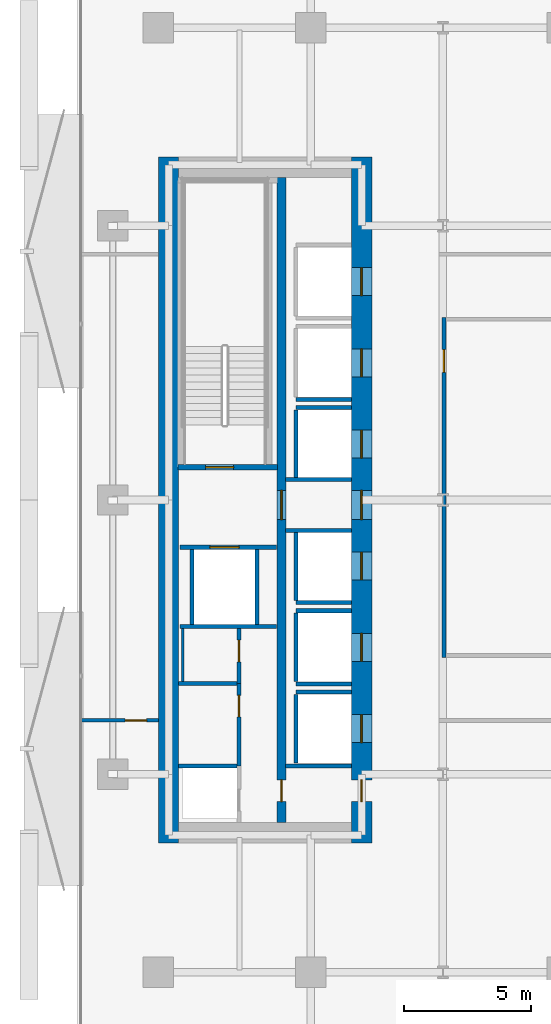
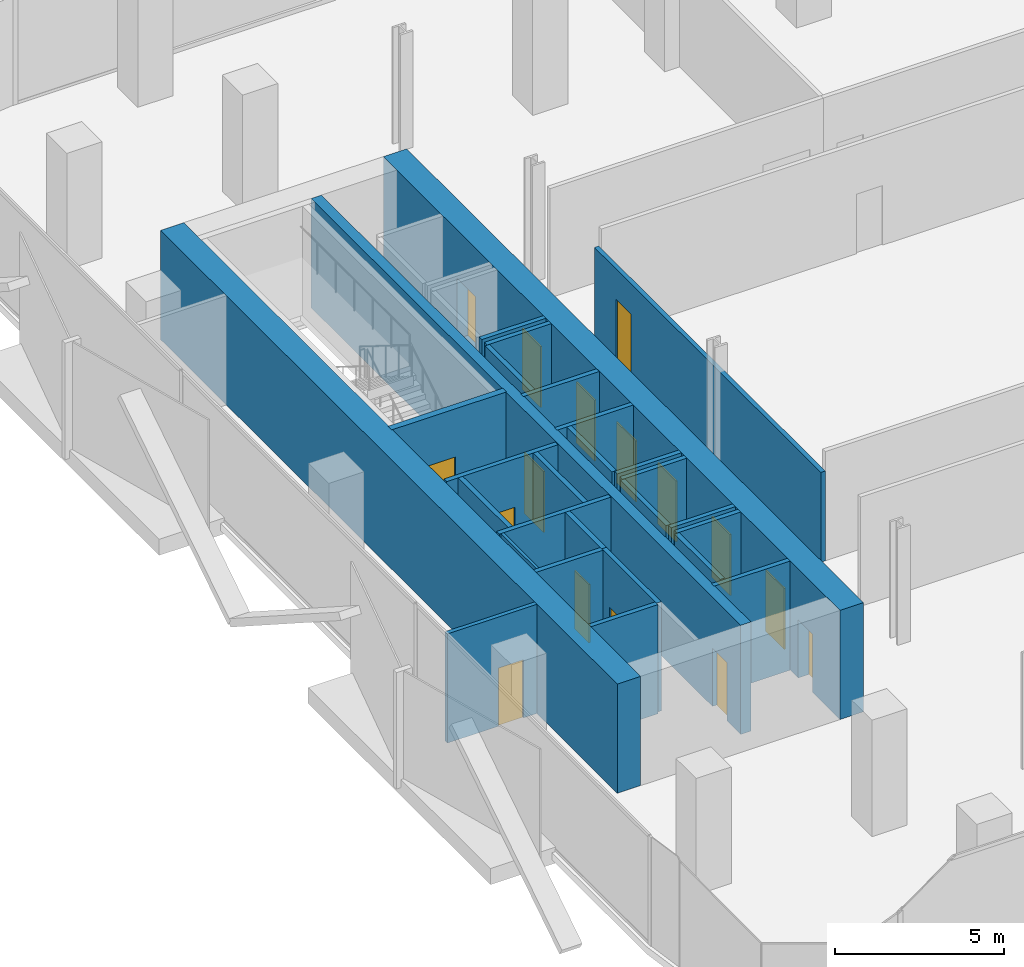
# One storey, part 3 of 14: 28 walls, 16 doors, 16 openings.
"""IFC4 building model written with IfcOpenShell, lengths in metres."""

from ifc_helpers import new_model, si_unit, direction, frame, frame_2d, origin, place, context, subcontext, project, spatial, rectangle, extrude, material, layer, layer_set, type_object, element, fill, save


model = new_model("IFC4")

# Units and contexts
model_context = context("Model", 3, precision=1e-05, world=origin(), true_north=direction((0.0, 1.0)))
body_context = subcontext(model_context, "Body", "Model", "MODEL_VIEW")
ifc_project = project(units=[si_unit("LENGTHUNIT", "METRE"), si_unit("AREAUNIT", "SQUARE_METRE"), si_unit("VOLUMEUNIT", "CUBIC_METRE"), si_unit("PLANEANGLEUNIT", "RADIAN"), si_unit("MASSUNIT", "GRAM", prefix="KILO")], contexts=[model_context])

# Site, building, storey
site_placement = place(None, origin())
site = spatial("IfcSite", under=ifc_project, at=site_placement, CompositionType="ELEMENT")
building_placement = place(site_placement, origin())
building = spatial("IfcBuilding", under=site, at=building_placement, Name="Khairoan Windgate Tower", CompositionType="ELEMENT")
storey_placement = place(building_placement, frame((0.0, 0.0, 93.199951171875)))
storey = spatial("IfcBuildingStorey", under=building, at=storey_placement, Name="L21", CompositionType="ELEMENT", Elevation=93.199951171875)

# Walls
ifc_material_1 = material(Name="Moisture-Resistant Gypsum Partition", Category="gypsum")
ifc_layer_1 = layer(ifc_material_1, 0.10009765625, Name="Moisture-Resistant Gypsum Partition")
ifc_layer_set_1 = layer_set([ifc_layer_1], Name="Moisture-Resistant Gypsum Partition")
wall_type_1 = type_object("IfcWallType", Name="Bathroom Wet-Area Partition Wall", PredefinedType="PARTITIONING", material=ifc_layer_set_1)
wall_1_placement = place(storey_placement, frame((-19.449951171875, -7.14990234375, 0.0), z_axis=(0.0, 0.0, 1.0), x_axis=(0.0, 1.0, 0.0)))
element("IfcWall", 1, at=wall_1_placement, inside=storey, type_object=wall_type_1, Name="L21 Wet Room Side Wall 024", PredefinedType="PARTITIONING", context=body_context, shape_type="SweptSolid", body=[
    extrude(rectangle(XDim=2.08984375, YDim=0.10009765625, at=frame_2d((1.044921875, 0.0))), origin(), (0.0, 0.0, 1.0), 3.93994140625),
])
ifc_material_2 = material(Name="Concrete C40/50", Category="concrete")
ifc_layer_2 = layer(ifc_material_2, 0.159912109375, Name="Concrete C40/50")
ifc_layer_set_2 = layer_set([ifc_layer_2], Name="Concrete C40/50")
wall_type_2 = type_object("IfcWallType", Name="Core and Hoistway Enclosure Wall", PredefinedType="STANDARD", material=ifc_layer_set_2)
for number, where, z_axis, x_axis, name in (
    (2, (-14.989990234375, 3.9599609375, 0.0), (0.0, 0.0, 1.0), (1.0, 0.0, 0.0), "L21 Lift PL2 Hoistway Divider S"),
    (3, (-14.989990234375, 3.639892578125, 0.0), (0.0, 0.0, 1.0), (1.0, 0.0, 0.0), "L21 Lift PL3 Hoistway Divider N"),
):
    element("IfcWall", number, at=place(storey_placement, frame(where, z_axis=z_axis, x_axis=x_axis)), inside=storey, type_object=wall_type_2, Name=name, PredefinedType="STANDARD", context=body_context, shape_type="SweptSolid", body=[
        extrude(rectangle(XDim=2.18994140625, YDim=0.159912109375, at=frame_2d((1.094970703125, 0.0))), origin(), (0.0, 0.0, 1.0), 3.93994140625),
    ])
wall_2_placement = place(storey_placement, frame((-14.989990234375, 0.85009765625, 0.0), z_axis=(0.0, 0.0, 1.0), x_axis=(0.0, 1.0, 0.0)))
element("IfcWall", 4, at=wall_2_placement, inside=storey, type_object=wall_type_2, Name="L21 Lift PL3 Hoistway Back Wall", PredefinedType="STANDARD", context=body_context, shape_type="SweptSolid", body=[
    extrude(rectangle(XDim=2.699951171875, YDim=0.159912109375, at=frame_2d((1.35009765625, 0.0))), origin(), (0.0, 0.0, 1.0), 3.93994140625),
])
wall_3_placement = place(storey_placement, frame((-14.989990234375, -4.0400390625, 0.0), z_axis=(0.0, 0.0, 1.0), x_axis=(1.0, 0.0, 0.0)))
element("IfcWall", 5, at=wall_3_placement, inside=storey, type_object=wall_type_2, Name="L21 Lift PL4 Hoistway Divider S", PredefinedType="STANDARD", context=body_context, shape_type="SweptSolid", body=[
    extrude(rectangle(XDim=2.18994140625, YDim=0.159912109375, at=frame_2d((1.094970703125, 0.0))), origin(), (0.0, 0.0, 1.0), 3.93994140625),
])
wall_4_placement = place(storey_placement, frame((-14.989990234375, -3.949951171875, 0.0), z_axis=(0.0, 0.0, 1.0), x_axis=(0.0, 1.0, 0.0)))
element("IfcWall", 6, at=wall_4_placement, inside=storey, type_object=wall_type_2, Name="L21 Lift PL4 Hoistway Back Wall", PredefinedType="STANDARD", context=body_context, shape_type="SweptSolid", body=[
    extrude(rectangle(XDim=2.699951171875, YDim=0.159912109375, at=frame_2d((1.35009765625, 0.0))), origin(), (0.0, 0.0, 1.0), 3.93994140625),
])
for number, where, z_axis, x_axis, name in (
    (7, (-14.989990234375, -7.239990234375, 0.0), (0.0, 0.0, 1.0), (1.0, 0.0, 0.0), "L21 Lift PL5 Hoistway Divider S"),
    (8, (-14.989990234375, -4.360107421875, 0.0), (0.0, 0.0, 1.0), (1.0, 0.0, 0.0), "L21 Lift PL5 Hoistway Divider N"),
):
    element("IfcWall", number, at=place(storey_placement, frame(where, z_axis=z_axis, x_axis=x_axis)), inside=storey, type_object=wall_type_2, Name=name, PredefinedType="STANDARD", context=body_context, shape_type="SweptSolid", body=[
        extrude(rectangle(XDim=2.18994140625, YDim=0.159912109375, at=frame_2d((1.094970703125, 0.0))), origin(), (0.0, 0.0, 1.0), 3.93994140625),
    ])
wall_5_placement = place(storey_placement, frame((-14.989990234375, -7.14990234375, 0.0), z_axis=(0.0, 0.0, 1.0), x_axis=(0.0, 1.0, 0.0)))
element("IfcWall", 9, at=wall_5_placement, inside=storey, type_object=wall_type_2, Name="L21 Lift PL5 Hoistway Back Wall", PredefinedType="STANDARD", context=body_context, shape_type="SweptSolid", body=[
    extrude(rectangle(XDim=2.699951171875, YDim=0.159912109375, at=frame_2d((1.35009765625, 0.0))), origin(), (0.0, 0.0, 1.0), 3.93994140625),
])
wall_6_placement = place(storey_placement, frame((-14.989990234375, -7.56005859375, 0.0), z_axis=(0.0, 0.0, 1.0), x_axis=(1.0, 0.0, 0.0)))
element("IfcWall", 10, at=wall_6_placement, inside=storey, type_object=wall_type_2, Name="L21 Lift PL6 Hoistway Divider N", PredefinedType="STANDARD", context=body_context, shape_type="SweptSolid", body=[
    extrude(rectangle(XDim=2.18994140625, YDim=0.159912109375, at=frame_2d((1.094970703125, 0.0))), origin(), (0.0, 0.0, 1.0), 3.93994140625),
])
wall_7_placement = place(storey_placement, frame((-14.989990234375, -10.35009765625, 0.0), z_axis=(0.0, 0.0, 1.0), x_axis=(0.0, 1.0, 0.0)))
element("IfcWall", 11, at=wall_7_placement, inside=storey, type_object=wall_type_2, Name="L21 Lift PL6 Hoistway Back Wall", PredefinedType="STANDARD", context=body_context, shape_type="SweptSolid", body=[
    extrude(rectangle(XDim=2.7001953125, YDim=0.159912109375, at=frame_2d((1.35009765625, 0.0))), origin(), (0.0, 0.0, 1.0), 3.93994140625),
])

# Wall, opening, door
wall_8_placement = place(storey_placement, frame((-19.550048828125, -1.860107421875, 0.0), z_axis=(0.0, 0.0, 1.0), x_axis=(1.0, 0.0, 0.0)))
wall_8 = element("IfcWall", 12, at=wall_8_placement, inside=storey, type_object=wall_type_2, Name="L21 Core Shaft Wall SW-FL2-L21", PredefinedType="STANDARD", context=body_context, shape_type="SweptSolid", body=[
    extrude(rectangle(XDim=3.800048828125, YDim=0.159912109375, at=frame_2d((1.89990234375, 0.0))), origin(), (0.0, 0.0, 1.0), 3.93994140625),
])
opening_1_placement = place(wall_8_placement, frame((1.179931640625, 0.0, 0.0)))
opening_1 = element("IfcOpeningElement", 13, at=opening_1_placement, cuts=wall_8, Name="Opening LD-FL", PredefinedType="OPENING", context=body_context, shape_type="SweptSolid", body=[
    extrude(rectangle(XDim=1.14990234375, YDim=2.199951171875, at=frame_2d((0.574951171875, 1.10009765625))), frame((0.0, 0.08984375, 0.0), z_axis=(0.0, -1.0, 0.0), x_axis=(1.0, 0.0, 0.0)), (0.0, 0.0, 1.0), 0.179931640625),
])
ifc_material_3 = material(Name="Steel S355", Category="steel")
door_type_1 = type_object("IfcDoorType", Name="Firefighting Lift Sliding Landing Door LD-FL 1150x2200", OperationType="DOUBLE_DOOR_SLIDING", PredefinedType="DOOR", material=ifc_material_3)
door_1_placement = place(opening_1_placement, origin())
door_1 = element("IfcDoor", 14, at=door_1_placement, inside=storey, type_object=door_type_1, Name="L21 Firefighting Lift FL2 Landing Door", OperationType="DOUBLE_DOOR_SLIDING", OverallHeight=2.199951171875, OverallWidth=1.14990234375, PredefinedType="DOOR", context=body_context, shape_type="SweptSolid", body=[
    extrude(rectangle(XDim=1.14990234375, YDim=2.199951171875, at=frame_2d((0.574951171875, 1.10009765625))), frame((0.0, 0.02490234375, 0.0), z_axis=(0.0, -1.0, 0.0), x_axis=(1.0, 0.0, 0.0)), (0.0, 0.0, 1.0), 0.050048828125),
])
fill(opening_1, door_1)

# Walls
wall_9_placement = place(storey_placement, frame((-19.550048828125, -4.97998046875, 0.0), z_axis=(0.0, 0.0, 1.0), x_axis=(1.0, 0.0, 0.0)))
element("IfcWall", 15, at=wall_9_placement, inside=storey, type_object=wall_type_2, Name="L21 Core Shaft Wall SW-FL2B-L21", PredefinedType="STANDARD", context=body_context, shape_type="SweptSolid", body=[
    extrude(rectangle(XDim=3.800048828125, YDim=0.159912109375, at=frame_2d((1.89990234375, 0.0))), origin(), (0.0, 0.0, 1.0), 3.93994140625),
])
for number, where, z_axis, x_axis, name in (
    (16, (-19.080078125, -4.89990234375, 0.0), (0.0, 0.0, 1.0), (0.0, 1.0, 0.0), "L21 Core Shaft Wall SW-FL2W-L21"),
    (17, (-16.52001953125, -4.89990234375, 0.0), (0.0, 0.0, 1.0), (0.0, 1.0, 0.0), "L21 Core Shaft Wall SW-FL2E-L21"),
):
    element("IfcWall", number, at=place(storey_placement, frame(where, z_axis=z_axis, x_axis=x_axis)), inside=storey, type_object=wall_type_2, Name=name, PredefinedType="STANDARD", context=body_context, shape_type="SweptSolid", body=[
        extrude(rectangle(XDim=2.9599609375, YDim=0.159912109375, at=frame_2d((1.47998046875, 0.0))), origin(), (0.0, 0.0, 1.0), 3.93994140625),
    ])
for number, where, z_axis, x_axis, name in (
    (18, (-15.39990234375, 0.800048828125, 0.0), (0.0, 0.0, 1.0), (1.0, 0.0, 0.0), "L21 Core Shaft Wall SW-WV1-L21"),
    (19, (-15.39990234375, -1.199951171875, 0.0), (0.0, 0.0, 1.0), (1.0, 0.0, 0.0), "L21 Core Shaft Wall SW-WV2-L21"),
    (20, (-15.39990234375, -10.47998046875, 0.0), (0.0, 0.0, 1.0), (1.0, 0.0, 0.0), "L21 Core Shaft Wall SW-WSV-L21"),
):
    element("IfcWall", number, at=place(storey_placement, frame(where, z_axis=z_axis, x_axis=x_axis)), inside=storey, type_object=wall_type_2, Name=name, PredefinedType="STANDARD", context=body_context, shape_type="SweptSolid", body=[
        extrude(rectangle(XDim=2.599853515625, YDim=0.159912109375, at=frame_2d((1.2998046875, 0.0))), origin(), (0.0, 0.0, 1.0), 3.93994140625),
    ])

# Wall, opening, door
ifc_material_4 = material(Name="Acoustic Fire-Rated Gypsum Partition", Category="gypsum")
ifc_layer_3 = layer(ifc_material_4, 0.139892578125, Name="Acoustic Fire-Rated Gypsum Partition")
ifc_layer_set_3 = layer_set([ifc_layer_3], Name="Acoustic Fire-Rated Gypsum Partition")
wall_type_3 = type_object("IfcWallType", Name="Inter-Tenancy Compartment Wall", PredefinedType="PARTITIONING", material=ifc_layer_set_3)
wall_10_placement = place(storey_placement, frame((-23.455078125, -8.679931640625, 0.0), z_axis=(0.0, 0.0, 1.0), x_axis=(1.0, 0.0, 0.0)))
wall_10 = element("IfcWall", 21, at=wall_10_placement, inside=storey, type_object=wall_type_3, Name="L21 Interior Partition 023", PredefinedType="PARTITIONING", context=body_context, shape_type="SweptSolid", body=[
    extrude(rectangle(XDim=3.05517578125, YDim=0.139892578125, at=frame_2d((1.527587890625, 0.0))), origin(), (0.0, 0.0, 1.0), 3.93994140625),
])
opening_2_placement = place(wall_10_placement, frame((1.7451171875, 0.0, 0.0)))
opening_2 = element("IfcOpeningElement", 22, at=opening_2_placement, cuts=wall_10, Name="Opening FD-SRV", PredefinedType="OPENING", context=body_context, shape_type="SweptSolid", body=[
    extrude(rectangle(XDim=0.85009765625, YDim=2.10009765625, at=frame_2d((0.425048828125, 1.050048828125))), frame((0.0, 0.079833984375, 0.0), z_axis=(0.0, -1.0, 0.0), x_axis=(1.0, 0.0, 0.0)), (0.0, 0.0, 1.0), 0.159912109375),
])
ifc_material_5 = material(Name="Steel S355", Category="steel")
door_type_2 = type_object("IfcDoorType", Name="Core Service and Riser Fire Door FD-SRV 850x2100", OperationType="NOTDEFINED", PredefinedType="DOOR", material=ifc_material_5)
door_2_placement = place(opening_2_placement, origin())
door_2 = element("IfcDoor", 23, at=door_2_placement, inside=storey, type_object=door_type_2, Name="L21 L21-36-L21-38 Door", OperationType="SINGLE_SWING_RIGHT", OverallHeight=2.10009765625, OverallWidth=0.85009765625, PredefinedType="DOOR", context=body_context, shape_type="SweptSolid", body=[
    extrude(rectangle(XDim=0.85009765625, YDim=2.10009765625, at=frame_2d((0.425048828125, 1.050048828125))), frame((0.0, 0.02490234375, 0.0), z_axis=(0.0, -1.0, 0.0), x_axis=(1.0, 0.0, 0.0)), (0.0, 0.0, 1.0), 0.050048828125),
])
fill(opening_2, door_2)

ifc_material_6 = material(Name="Concrete C40/50", Category="concrete")
ifc_layer_4 = layer(ifc_material_6, 0.159912109375, Name="Concrete C40/50")
ifc_layer_set_4 = layer_set([ifc_layer_4], Name="Concrete C40/50")
wall_type_4 = type_object("IfcWallType", Name="Plant and Refuge Compartment Wall", PredefinedType="PARTITIONING", material=ifc_layer_set_4)
wall_11_placement = place(storey_placement, frame((-17.22998046875, -7.22998046875, 0.0), z_axis=(0.0, 0.0, 1.0), x_axis=(0.0, 1.0, 0.0)))
wall_11 = element("IfcWall", 24, at=wall_11_placement, inside=storey, type_object=wall_type_4, Name="L21 Interior Partition 002", PredefinedType="PARTITIONING", context=body_context, shape_type="SweptSolid", body=[
    extrude(rectangle(XDim=2.169921875, YDim=0.159912109375, at=frame_2d((1.0849609375, 0.0))), origin(), (0.0, 0.0, 1.0), 3.93994140625),
])
opening_3_placement = place(wall_11_placement, frame((0.860107421875, 0.0, 0.0)))
opening_3 = element("IfcOpeningElement", 25, at=opening_3_placement, cuts=wall_11, Name="Opening FD-SRV", PredefinedType="OPENING", context=body_context, shape_type="SweptSolid", body=[
    extrude(rectangle(XDim=0.85009765625, YDim=2.10009765625, at=frame_2d((0.425048828125, 1.050048828125))), frame((0.0, 0.08984375, 0.0), z_axis=(0.0, -1.0, 0.0), x_axis=(1.0, 0.0, 0.0)), (0.0, 0.0, 1.0), 0.179931640625),
])
door_3_placement = place(opening_3_placement, origin())
door_3 = element("IfcDoor", 26, at=door_3_placement, inside=storey, type_object=door_type_2, Name="L21 L21-04-L21-06 Door", OperationType="SINGLE_SWING_LEFT", OverallHeight=2.10009765625, OverallWidth=0.85009765625, PredefinedType="DOOR", context=body_context, shape_type="SweptSolid", body=[
    extrude(rectangle(XDim=0.85009765625, YDim=2.10009765625, at=frame_2d((0.425048828125, 1.050048828125))), frame((0.0, 0.02490234375, 0.0), z_axis=(0.0, -1.0, 0.0), x_axis=(1.0, 0.0, 0.0)), (0.0, 0.0, 1.0), 0.050048828125),
])
fill(opening_3, door_3)

wall_12_placement = place(storey_placement, frame((-17.22998046875, -10.469970703125, 0.0), z_axis=(0.0, 0.0, 1.0), x_axis=(0.0, 1.0, 0.0)))
wall_12 = element("IfcWall", 27, at=wall_12_placement, inside=storey, type_object=wall_type_4, Name="L21 Interior Partition 003", PredefinedType="PARTITIONING", context=body_context, shape_type="SweptSolid", body=[
    extrude(rectangle(XDim=3.239990234375, YDim=0.159912109375, at=frame_2d((1.6201171875, 0.0))), origin(), (0.0, 0.0, 1.0), 3.93994140625),
])
opening_4_placement = place(wall_12_placement, frame((1.929931640625, 0.0, 0.0)))
opening_4 = element("IfcOpeningElement", 28, at=opening_4_placement, cuts=wall_12, Name="Opening FD-SRV", PredefinedType="OPENING", context=body_context, shape_type="SweptSolid", body=[
    extrude(rectangle(XDim=0.85009765625, YDim=2.10009765625, at=frame_2d((0.425048828125, 1.050048828125))), frame((0.0, 0.08984375, 0.0), z_axis=(0.0, -1.0, 0.0), x_axis=(1.0, 0.0, 0.0)), (0.0, 0.0, 1.0), 0.179931640625),
])
door_4_placement = place(opening_4_placement, origin())
door_4 = element("IfcDoor", 29, at=door_4_placement, inside=storey, type_object=door_type_2, Name="L21 L21-04-L21-07 Door", OperationType="SINGLE_SWING_RIGHT", OverallHeight=2.10009765625, OverallWidth=0.85009765625, PredefinedType="DOOR", context=body_context, shape_type="SweptSolid", body=[
    extrude(rectangle(XDim=0.85009765625, YDim=2.10009765625, at=frame_2d((0.425048828125, 1.050048828125))), frame((0.0, 0.02490234375, 0.0), z_axis=(0.0, -1.0, 0.0), x_axis=(1.0, 0.0, 0.0)), (0.0, 0.0, 1.0), 0.050048828125),
])
fill(opening_4, door_4)

# Walls
for number, where, z_axis, x_axis, name in (
    (30, (-19.60009765625, -10.469970703125, 0.0), (0.0, 0.0, 1.0), (1.0, 0.0, 0.0), "L21 Interior Partition 004"),
    (31, (-19.60009765625, -7.22998046875, 0.0), (0.0, 0.0, 1.0), (1.0, 0.0, 0.0), "L21 Interior Partition 005"),
):
    element("IfcWall", number, at=place(storey_placement, frame(where, z_axis=z_axis, x_axis=x_axis)), inside=storey, type_object=wall_type_4, Name=name, PredefinedType="PARTITIONING", context=body_context, shape_type="SweptSolid", body=[
        extrude(rectangle(XDim=2.2900390625, YDim=0.159912109375, at=frame_2d((1.14501953125, 0.0))), origin(), (0.0, 0.0, 1.0), 3.93994140625),
    ])

# Wall, opening, door
ifc_material_7 = material(Name="Acoustic Fire-Rated Gypsum Partition", Category="gypsum")
ifc_layer_5 = layer(ifc_material_7, 0.14990234375, Name="Acoustic Fire-Rated Gypsum Partition")
ifc_layer_set_5 = layer_set([ifc_layer_5], Name="Acoustic Fire-Rated Gypsum Partition")
wall_type_5 = type_object("IfcWallType", Name="Rated Corridor Partition Wall", PredefinedType="PARTITIONING", material=ifc_layer_set_5)
wall_13_placement = place(storey_placement, frame((-9.159912109375, -6.195068359375, 0.0), z_axis=(0.0, 0.0, 1.0), x_axis=(0.0, 1.0, 0.0)))
wall_13 = element("IfcWall", 32, at=wall_13_placement, inside=storey, type_object=wall_type_5, Name="L21 Interior Partition 011", PredefinedType="PARTITIONING", context=body_context, shape_type="SweptSolid", body=[
    extrude(rectangle(XDim=13.39013671875, YDim=0.14990234375, at=frame_2d((6.695068359375, 0.0))), origin(), (0.0, 0.0, 1.0), 3.239990234375),
])
opening_5_placement = place(wall_13_placement, frame((11.218017578125, 0.0, 0.0)))
opening_5 = element("IfcOpeningElement", 33, at=opening_5_placement, cuts=wall_13, Name="Opening FD-ENT", PredefinedType="OPENING", context=body_context, shape_type="SweptSolid", body=[
    extrude(rectangle(XDim=0.89990234375, YDim=2.14990234375, at=frame_2d((0.449951171875, 1.074951171875))), frame((0.0, 0.0849609375, 0.0), z_axis=(0.0, -1.0, 0.0), x_axis=(1.0, 0.0, 0.0)), (0.0, 0.0, 1.0), 0.169921875),
])
ifc_material_8 = material(Name="Timber Fire-Rated Core", Category="wood")
door_type_3 = type_object("IfcDoorType", Name="Unit and Office Fire Entrance Door FD-ENT 900x2150", OperationType="NOTDEFINED", PredefinedType="DOOR", material=ifc_material_8)
door_5_placement = place(opening_5_placement, origin())
door_5 = element("IfcDoor", 34, at=door_5_placement, inside=storey, type_object=door_type_3, Name="L21 L21-29-L21-33 Door", OperationType="SINGLE_SWING_RIGHT", OverallHeight=2.14990234375, OverallWidth=0.89990234375, PredefinedType="DOOR", context=body_context, shape_type="SweptSolid", body=[
    extrude(rectangle(XDim=0.89990234375, YDim=2.14990234375, at=frame_2d((0.449951171875, 1.074951171875))), frame((0.0, 0.02490234375, 0.0), z_axis=(0.0, -1.0, 0.0), x_axis=(1.0, 0.0, 0.0)), (0.0, 0.0, 1.0), 0.050048828125),
])
fill(opening_5, door_5)

# Wall
ifc_material_9 = material(Name="Concrete C70/85", Category="concrete")
ifc_layer_6 = layer(ifc_material_9, 0.800048828125, Name="Concrete C70/85")
ifc_layer_set_6 = layer_set([ifc_layer_6], Name="Concrete C70/85")
wall_type_6 = type_object("IfcWallType", Name="Shear Wall CW-W1 800mm", PredefinedType="SHEAR", material=ifc_layer_set_6)
wall_14_placement = place(storey_placement, frame((-20.0, -13.5, 0.0), z_axis=(0.0, 0.0, 1.0), x_axis=(0.0, 1.0, 0.0)))
element("IfcWall", 35, at=wall_14_placement, inside=storey, type_object=wall_type_6, Name="W Core West Shear Wall L21", PredefinedType="SHEAR", context=body_context, shape_type="SweptSolid", body=[
    extrude(rectangle(XDim=27.0, YDim=0.800048828125, at=frame_2d((13.5, 0.0))), origin(), (0.0, 0.0, 1.0), 3.93994140625),
])

# Wall, openings, doors
wall_15_placement = place(storey_placement, frame((-12.39990234375, -13.5, 0.0), z_axis=(0.0, 0.0, 1.0), x_axis=(0.0, 1.0, 0.0)))
wall_15 = element("IfcWall", 36, at=wall_15_placement, inside=storey, type_object=wall_type_6, Name="W Core East Shear Wall L21", PredefinedType="SHEAR", context=body_context, shape_type="SweptSolid", body=[
    extrude(rectangle(XDim=27.0, YDim=0.800048828125, at=frame_2d((13.5, 0.0))), origin(), (0.0, 0.0, 1.0), 3.93994140625),
])
opening_6_placement = place(wall_15_placement, frame((21.550048828125, 0.0, 0.0)))
opening_6 = element("IfcOpeningElement", 37, at=opening_6_placement, cuts=wall_15, Name="Opening LD-PL", PredefinedType="OPENING", context=body_context, shape_type="SweptSolid", body=[
    extrude(rectangle(XDim=1.10009765625, YDim=2.199951171875, at=frame_2d((0.550048828125, 1.10009765625))), frame((0.0, 0.409912109375, 0.0), z_axis=(0.0, -1.0, 0.0), x_axis=(1.0, 0.0, 0.0)), (0.0, 0.0, 1.0), 0.820068359375),
])
opening_7_placement = place(wall_15_placement, frame((18.35009765625, 0.0, 0.0)))
opening_7 = element("IfcOpeningElement", 38, at=opening_7_placement, cuts=wall_15, Name="Opening LD-PL", PredefinedType="OPENING", context=body_context, shape_type="SweptSolid", body=[
    extrude(rectangle(XDim=1.10009765625, YDim=2.199951171875, at=frame_2d((0.550048828125, 1.10009765625))), frame((0.0, 0.409912109375, 0.0), z_axis=(0.0, -1.0, 0.0), x_axis=(1.0, 0.0, 0.0)), (0.0, 0.0, 1.0), 0.820068359375),
])
opening_8_placement = place(wall_15_placement, frame((15.14990234375, 0.0, 0.0)))
opening_8 = element("IfcOpeningElement", 39, at=opening_8_placement, cuts=wall_15, Name="Opening LD-PL", PredefinedType="OPENING", context=body_context, shape_type="SweptSolid", body=[
    extrude(rectangle(XDim=1.10009765625, YDim=2.199951171875, at=frame_2d((0.550048828125, 1.10009765625))), frame((0.0, 0.409912109375, 0.0), z_axis=(0.0, -1.0, 0.0), x_axis=(1.0, 0.0, 0.0)), (0.0, 0.0, 1.0), 0.820068359375),
])
opening_9_placement = place(wall_15_placement, frame((10.35009765625, 0.0, 0.0)))
opening_9 = element("IfcOpeningElement", 40, at=opening_9_placement, cuts=wall_15, Name="Opening LD-PL", PredefinedType="OPENING", context=body_context, shape_type="SweptSolid", body=[
    extrude(rectangle(XDim=1.10009765625, YDim=2.199951171875, at=frame_2d((0.550048828125, 1.10009765625))), frame((0.0, 0.409912109375, 0.0), z_axis=(0.0, -1.0, 0.0), x_axis=(1.0, 0.0, 0.0)), (0.0, 0.0, 1.0), 0.820068359375),
])
opening_10_placement = place(wall_15_placement, frame((7.14990234375, 0.0, 0.0)))
opening_10 = element("IfcOpeningElement", 41, at=opening_10_placement, cuts=wall_15, Name="Opening LD-PL", PredefinedType="OPENING", context=body_context, shape_type="SweptSolid", body=[
    extrude(rectangle(XDim=1.10009765625, YDim=2.199951171875, at=frame_2d((0.550048828125, 1.10009765625))), frame((0.0, 0.409912109375, 0.0), z_axis=(0.0, -1.0, 0.0), x_axis=(1.0, 0.0, 0.0)), (0.0, 0.0, 1.0), 0.820068359375),
])
opening_11_placement = place(wall_15_placement, frame((3.949951171875, 0.0, 0.0)))
opening_11 = element("IfcOpeningElement", 42, at=opening_11_placement, cuts=wall_15, Name="Opening LD-PL", PredefinedType="OPENING", context=body_context, shape_type="SweptSolid", body=[
    extrude(rectangle(XDim=1.10009765625, YDim=2.199951171875, at=frame_2d((0.550048828125, 1.10009765625))), frame((0.0, 0.409912109375, 0.0), z_axis=(0.0, -1.0, 0.0), x_axis=(1.0, 0.0, 0.0)), (0.0, 0.0, 1.0), 0.820068359375),
])
opening_12_placement = place(wall_15_placement, frame((12.72509765625, 0.0, 0.0)))
opening_12 = element("IfcOpeningElement", 43, at=opening_12_placement, cuts=wall_15, Name="Opening FD-FFL", PredefinedType="OPENING", context=body_context, shape_type="SweptSolid", body=[
    extrude(rectangle(XDim=1.14990234375, YDim=2.199951171875, at=frame_2d((0.574951171875, 1.10009765625))), frame((0.0, 0.409912109375, 0.0), z_axis=(0.0, -1.0, 0.0), x_axis=(1.0, 0.0, 0.0)), (0.0, 0.0, 1.0), 0.820068359375),
])
opening_13_placement = place(wall_15_placement, frame((1.625, 0.0, 0.0)))
opening_13 = element("IfcOpeningElement", 44, at=opening_13_placement, cuts=wall_15, Name="Opening FD-SRV", PredefinedType="OPENING", context=body_context, shape_type="SweptSolid", body=[
    extrude(rectangle(XDim=0.85009765625, YDim=2.10009765625, at=frame_2d((0.425048828125, 1.050048828125))), frame((0.0, 0.409912109375, 0.0), z_axis=(0.0, -1.0, 0.0), x_axis=(1.0, 0.0, 0.0)), (0.0, 0.0, 1.0), 0.820068359375),
])
door_6_placement = place(opening_13_placement, origin())
door_6 = element("IfcDoor", 45, at=door_6_placement, inside=storey, type_object=door_type_2, Name="L21 West Core Service Vestibule Outer Door", OperationType="SINGLE_SWING_RIGHT", OverallHeight=2.10009765625, OverallWidth=0.85009765625, PredefinedType="DOOR", context=body_context, shape_type="SweptSolid", body=[
    extrude(rectangle(XDim=0.85009765625, YDim=2.10009765625, at=frame_2d((0.425048828125, 1.050048828125))), frame((0.0, 0.02490234375, 0.0), z_axis=(0.0, -1.0, 0.0), x_axis=(1.0, 0.0, 0.0)), (0.0, 0.0, 1.0), 0.050048828125),
])
fill(opening_13, door_6)
ifc_material_10 = material(Name="Steel S355", Category="steel")
door_type_4 = type_object("IfcDoorType", Name="Firefighting Lobby Fire Door FD-FFL 1150x2200", OperationType="NOTDEFINED", PredefinedType="DOOR", material=ifc_material_10)
door_7_placement = place(opening_12_placement, origin())
door_7 = element("IfcDoor", 46, at=door_7_placement, inside=storey, type_object=door_type_4, Name="L21 West Core Vestibule Entry Door", OperationType="SINGLE_SWING_RIGHT", OverallHeight=2.199951171875, OverallWidth=1.14990234375, PredefinedType="DOOR", context=body_context, shape_type="SweptSolid", body=[
    extrude(rectangle(XDim=1.14990234375, YDim=2.199951171875, at=frame_2d((0.574951171875, 1.10009765625))), frame((0.0, 0.02490234375, 0.0), z_axis=(0.0, -1.0, 0.0), x_axis=(1.0, 0.0, 0.0)), (0.0, 0.0, 1.0), 0.050048828125),
])
fill(opening_12, door_7)
ifc_material_11 = material(Name="Anodised Bronze Aluminium 6063-T6", Category="aluminium")
door_type_5 = type_object("IfcDoorType", Name="Passenger Lift Sliding Landing Door LD-PL 1100x2200", OperationType="DOUBLE_DOOR_SLIDING", PredefinedType="DOOR", material=ifc_material_11)
door_8_placement = place(opening_6_placement, origin())
door_8 = element("IfcDoor", 47, at=door_8_placement, inside=storey, type_object=door_type_5, Name="L21 Lift PL1 Sliding Landing Door", OperationType="DOUBLE_DOOR_SLIDING", OverallHeight=2.199951171875, OverallWidth=1.10009765625, PredefinedType="DOOR", context=body_context, shape_type="SweptSolid", body=[
    extrude(rectangle(XDim=1.10009765625, YDim=2.199951171875, at=frame_2d((0.550048828125, 1.10009765625))), frame((0.0, 0.02490234375, 0.0), z_axis=(0.0, -1.0, 0.0), x_axis=(1.0, 0.0, 0.0)), (0.0, 0.0, 1.0), 0.050048828125),
])
fill(opening_6, door_8)
door_9_placement = place(opening_7_placement, origin())
door_9 = element("IfcDoor", 48, at=door_9_placement, inside=storey, type_object=door_type_5, Name="L21 Lift PL2 Sliding Landing Door", OperationType="DOUBLE_DOOR_SLIDING", OverallHeight=2.199951171875, OverallWidth=1.10009765625, PredefinedType="DOOR", context=body_context, shape_type="SweptSolid", body=[
    extrude(rectangle(XDim=1.10009765625, YDim=2.199951171875, at=frame_2d((0.550048828125, 1.10009765625))), frame((0.0, 0.02490234375, 0.0), z_axis=(0.0, -1.0, 0.0), x_axis=(1.0, 0.0, 0.0)), (0.0, 0.0, 1.0), 0.050048828125),
])
fill(opening_7, door_9)
door_10_placement = place(opening_8_placement, origin())
door_10 = element("IfcDoor", 49, at=door_10_placement, inside=storey, type_object=door_type_5, Name="L21 Lift PL3 Sliding Landing Door", OperationType="DOUBLE_DOOR_SLIDING", OverallHeight=2.199951171875, OverallWidth=1.10009765625, PredefinedType="DOOR", context=body_context, shape_type="SweptSolid", body=[
    extrude(rectangle(XDim=1.10009765625, YDim=2.199951171875, at=frame_2d((0.550048828125, 1.10009765625))), frame((0.0, 0.02490234375, 0.0), z_axis=(0.0, -1.0, 0.0), x_axis=(1.0, 0.0, 0.0)), (0.0, 0.0, 1.0), 0.050048828125),
])
fill(opening_8, door_10)
door_11_placement = place(opening_9_placement, origin())
door_11 = element("IfcDoor", 50, at=door_11_placement, inside=storey, type_object=door_type_5, Name="L21 Lift PL4 Sliding Landing Door", OperationType="DOUBLE_DOOR_SLIDING", OverallHeight=2.199951171875, OverallWidth=1.10009765625, PredefinedType="DOOR", context=body_context, shape_type="SweptSolid", body=[
    extrude(rectangle(XDim=1.10009765625, YDim=2.199951171875, at=frame_2d((0.550048828125, 1.10009765625))), frame((0.0, 0.02490234375, 0.0), z_axis=(0.0, -1.0, 0.0), x_axis=(1.0, 0.0, 0.0)), (0.0, 0.0, 1.0), 0.050048828125),
])
fill(opening_9, door_11)
door_12_placement = place(opening_10_placement, origin())
door_12 = element("IfcDoor", 51, at=door_12_placement, inside=storey, type_object=door_type_5, Name="L21 Lift PL5 Sliding Landing Door", OperationType="DOUBLE_DOOR_SLIDING", OverallHeight=2.199951171875, OverallWidth=1.10009765625, PredefinedType="DOOR", context=body_context, shape_type="SweptSolid", body=[
    extrude(rectangle(XDim=1.10009765625, YDim=2.199951171875, at=frame_2d((0.550048828125, 1.10009765625))), frame((0.0, 0.02490234375, 0.0), z_axis=(0.0, -1.0, 0.0), x_axis=(1.0, 0.0, 0.0)), (0.0, 0.0, 1.0), 0.050048828125),
])
fill(opening_10, door_12)
door_13_placement = place(opening_11_placement, origin())
door_13 = element("IfcDoor", 52, at=door_13_placement, inside=storey, type_object=door_type_5, Name="L21 Lift PL6 Sliding Landing Door", OperationType="DOUBLE_DOOR_SLIDING", OverallHeight=2.199951171875, OverallWidth=1.10009765625, PredefinedType="DOOR", context=body_context, shape_type="SweptSolid", body=[
    extrude(rectangle(XDim=1.10009765625, YDim=2.199951171875, at=frame_2d((0.550048828125, 1.10009765625))), frame((0.0, 0.02490234375, 0.0), z_axis=(0.0, -1.0, 0.0), x_axis=(1.0, 0.0, 0.0)), (0.0, 0.0, 1.0), 0.050048828125),
])
fill(opening_11, door_13)

ifc_material_12 = material(Name="Concrete C60/75", Category="concrete")
ifc_layer_7 = layer(ifc_material_12, 0.35009765625, Name="Concrete C60/75")
ifc_layer_set_7 = layer_set([ifc_layer_7], Name="Concrete C60/75")
wall_type_7 = type_object("IfcWallType", Name="Shear Wall SW-1 350mm", PredefinedType="SHEAR", material=ifc_layer_set_7)
wall_16_placement = place(storey_placement, frame((-15.550048828125, -12.699951171875, 0.0), z_axis=(0.0, 0.0, 1.0), x_axis=(0.0, 1.0, 0.0)))
wall_16 = element("IfcWall", 53, at=wall_16_placement, inside=storey, type_object=wall_type_7, Name="W Core Spine Shear Wall L21", PredefinedType="SHEAR", context=body_context, shape_type="SweptSolid", body=[
    extrude(rectangle(XDim=25.39990234375, YDim=0.35009765625, at=frame_2d((12.699951171875, 0.0))), origin(), (0.0, 0.0, 1.0), 3.93994140625),
])
opening_14_placement = place(wall_16_placement, frame((11.925048828125, 0.0, 0.0)))
opening_14 = element("IfcOpeningElement", 54, at=opening_14_placement, cuts=wall_16, Name="Opening FD-FFL", PredefinedType="OPENING", context=body_context, shape_type="SweptSolid", body=[
    extrude(rectangle(XDim=1.14990234375, YDim=2.199951171875, at=frame_2d((0.574951171875, 1.10009765625))), frame((0.0, 0.18505859375, 0.0), z_axis=(0.0, -1.0, 0.0), x_axis=(1.0, 0.0, 0.0)), (0.0, 0.0, 1.0), 0.3701171875),
])
opening_15_placement = place(wall_16_placement, frame((0.824951171875, 0.0, 0.0)))
opening_15 = element("IfcOpeningElement", 55, at=opening_15_placement, cuts=wall_16, Name="Opening FD-SRV", PredefinedType="OPENING", context=body_context, shape_type="SweptSolid", body=[
    extrude(rectangle(XDim=0.85009765625, YDim=2.10009765625, at=frame_2d((0.425048828125, 1.050048828125))), frame((0.0, 0.18505859375, 0.0), z_axis=(0.0, -1.0, 0.0), x_axis=(1.0, 0.0, 0.0)), (0.0, 0.0, 1.0), 0.3701171875),
])
door_14_placement = place(opening_15_placement, origin())
door_14 = element("IfcDoor", 56, at=door_14_placement, inside=storey, type_object=door_type_2, Name="L21 West Core Service Passage Inner Door", OperationType="SINGLE_SWING_LEFT", OverallHeight=2.10009765625, OverallWidth=0.85009765625, PredefinedType="DOOR", context=body_context, shape_type="SweptSolid", body=[
    extrude(rectangle(XDim=0.85009765625, YDim=2.10009765625, at=frame_2d((0.425048828125, 1.050048828125))), frame((0.0, 0.02490234375, 0.0), z_axis=(0.0, -1.0, 0.0), x_axis=(1.0, 0.0, 0.0)), (0.0, 0.0, 1.0), 0.050048828125),
])
fill(opening_15, door_14)
door_15_placement = place(opening_14_placement, origin())
door_15 = element("IfcDoor", 57, at=door_15_placement, inside=storey, type_object=door_type_4, Name="L21 West Firefighting Lobby Fire Door", OperationType="SINGLE_SWING_LEFT", OverallHeight=2.199951171875, OverallWidth=1.14990234375, PredefinedType="DOOR", context=body_context, shape_type="SweptSolid", body=[
    extrude(rectangle(XDim=1.14990234375, YDim=2.199951171875, at=frame_2d((0.574951171875, 1.10009765625))), frame((0.0, 0.02490234375, 0.0), z_axis=(0.0, -1.0, 0.0), x_axis=(1.0, 0.0, 0.0)), (0.0, 0.0, 1.0), 0.050048828125),
])
fill(opening_14, door_15)

# Wall, opening, door
ifc_material_13 = material(Name="Concrete C50/60", Category="concrete")
ifc_layer_8 = layer(ifc_material_13, 0.219970703125, Name="Concrete C50/60")
ifc_layer_set_8 = layer_set([ifc_layer_8], Name="Concrete C50/60")
wall_type_8 = type_object("IfcWallType", Name="Shear Wall SW-ST 220mm", PredefinedType="SHEAR", material=ifc_layer_set_8)
wall_17_placement = place(storey_placement, frame((-19.6201171875, 1.2900390625, 0.0), z_axis=(0.0, 0.0, 1.0), x_axis=(1.0, 0.0, 0.0)))
wall_17 = element("IfcWall", 58, at=wall_17_placement, inside=storey, type_object=wall_type_8, Name="L21 Stair ST2 South Bearing Wall", PredefinedType="SHEAR", context=body_context, shape_type="SweptSolid", body=[
    extrude(rectangle(XDim=3.9150390625, YDim=0.219970703125, at=frame_2d((1.95751953125, 0.0))), origin(), (0.0, 0.0, 1.0), 3.93994140625),
])
opening_16_placement = place(wall_17_placement, frame((1.080078125, 0.0, 0.0)))
opening_16 = element("IfcOpeningElement", 59, at=opening_16_placement, cuts=wall_17, Name="Opening FD-ST", PredefinedType="OPENING", context=body_context, shape_type="SweptSolid", body=[
    extrude(rectangle(XDim=1.10009765625, YDim=2.199951171875, at=frame_2d((0.550048828125, 1.10009765625))), frame((0.0, 0.119873046875, 0.0), z_axis=(0.0, -1.0, 0.0), x_axis=(1.0, 0.0, 0.0)), (0.0, 0.0, 1.0), 0.239990234375),
])
ifc_material_14 = material(Name="Steel S355", Category="steel")
door_type_6 = type_object("IfcDoorType", Name="Smokeproof Stair Fire Door FD-ST 1100x2200", OperationType="NOTDEFINED", PredefinedType="DOOR", material=ifc_material_14)
door_16_placement = place(opening_16_placement, origin())
door_16 = element("IfcDoor", 60, at=door_16_placement, inside=storey, type_object=door_type_6, Name="L21 Stair ST2 Fire Door", OperationType="SINGLE_SWING_RIGHT", OverallHeight=2.199951171875, OverallWidth=1.10009765625, PredefinedType="DOOR", context=body_context, shape_type="SweptSolid", body=[
    extrude(rectangle(XDim=1.10009765625, YDim=2.199951171875, at=frame_2d((0.550048828125, 1.10009765625))), frame((0.0, 0.02490234375, 0.0), z_axis=(0.0, -1.0, 0.0), x_axis=(1.0, 0.0, 0.0)), (0.0, 0.0, 1.0), 0.050048828125),
])
fill(opening_16, door_16)

save(model, "model.ifc")
